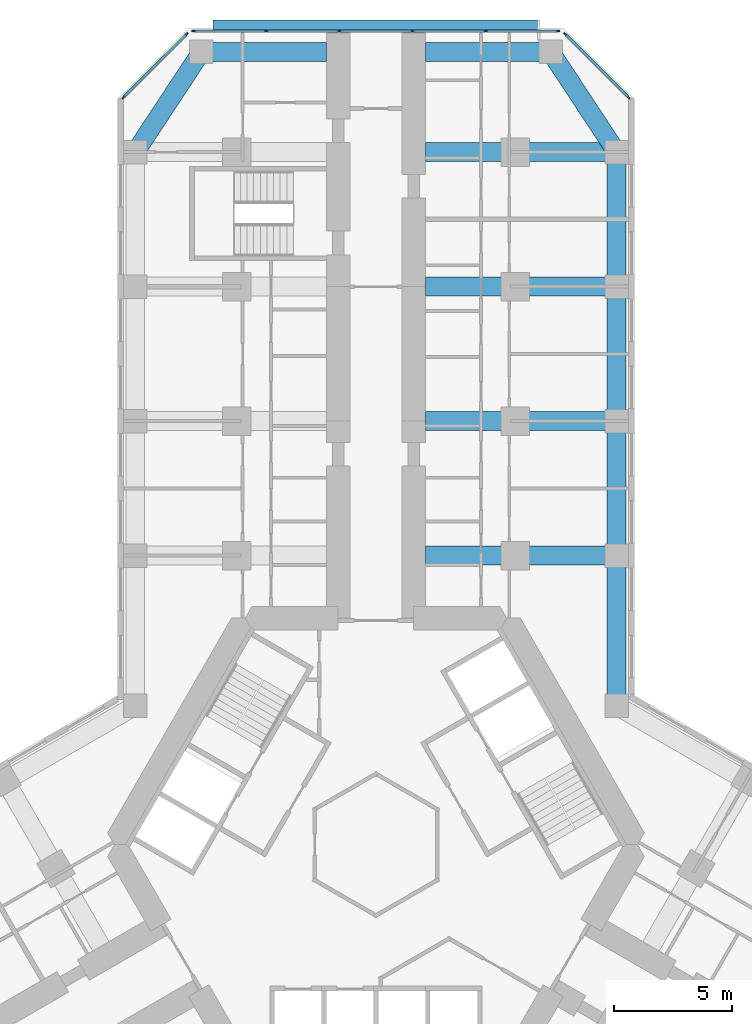
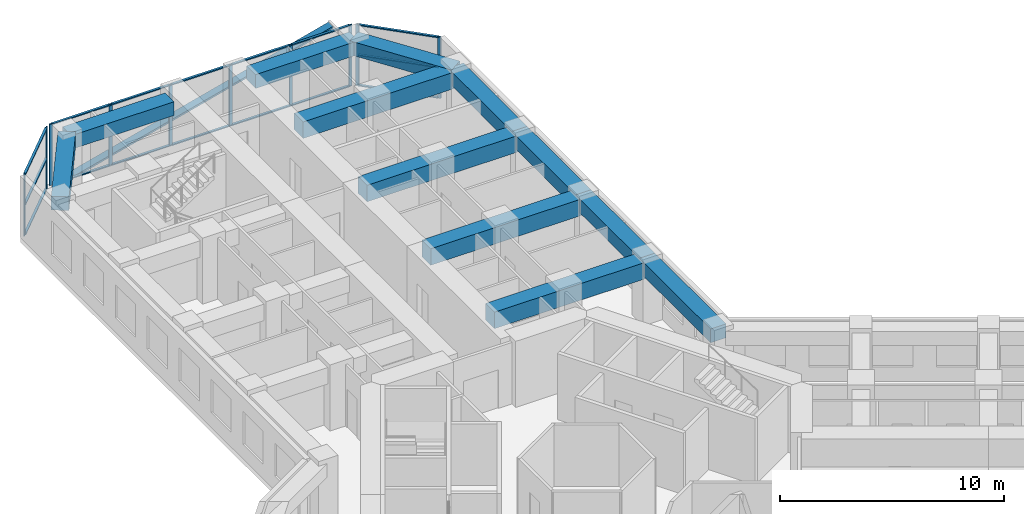
# One storey, part 7 of 21: 27 members, 12 beams, 3 elements without a shape of their own.
"""IFC4 building model written with IfcOpenShell, lengths in metres."""

from ifc_helpers import new_model, si_unit, direction, frame, origin, origin_2d, place, context, subcontext, project, spatial, rectangle, extrude, material, material_profile, profile_set, type_object, element, aggregate, save


model = new_model("IFC4")

# Units and contexts
model_context = context("Model", 3, precision=1e-05, world=origin(), true_north=direction((0.0, 1.0)))
body_context = subcontext(model_context, "Body", "Model", "MODEL_VIEW")
ifc_project = project(units=[si_unit("LENGTHUNIT", "METRE"), si_unit("AREAUNIT", "SQUARE_METRE"), si_unit("VOLUMEUNIT", "CUBIC_METRE"), si_unit("PLANEANGLEUNIT", "RADIAN"), si_unit("MASSUNIT", "GRAM", prefix="KILO")], contexts=[model_context])

# Site, building, storey
site_placement = place(None, origin())
site = spatial("IfcSite", under=ifc_project, at=site_placement, CompositionType="ELEMENT")
building_placement = place(site_placement, origin())
building = spatial("IfcBuilding", under=site, at=building_placement, Name="Kosmar Iwan School Tower", CompositionType="ELEMENT")
storey_placement = place(building_placement, frame((0.0, 0.0, 50.199951171875)))
storey = spatial("IfcBuildingStorey", under=building, at=storey_placement, Name="L11", CompositionType="ELEMENT", Elevation=50.199951171875)

# Member
ifc_material_1 = material(Name="Black anodised aluminium", Category="aluminium")
ifc_material_profile_1 = material_profile(ifc_material_1, rectangle(XDim=0.10009765625, YDim=0.39990234375, at=origin_2d()), Name="FIN 100x400")
ifc_profile_set_1 = profile_set([ifc_material_profile_1], Name="Black anodised aluminium")
member_type_1 = type_object("IfcMemberType", Name="Diagonal fin 100x400", PredefinedType="USERDEFINED", material=ifc_profile_set_1)
member_1_placement = place(storey_placement, frame((-6.898193359375, 34.75, -0.14990234375), z_axis=(0.967603633438, 0.0, 0.252474174041), x_axis=(-0.252474174041, 0.0, 0.967603633438)))
element("IfcMember", 1, at=member_1_placement, inside=storey, type_object=member_type_1, Name="Diagonal fin L11-F08", ObjectType="FIN", PredefinedType="USERDEFINED", context=body_context, shape_type="SweptSolid", body=[
    extrude(rectangle(XDim=0.10009765625, YDim=0.39990234375, at=origin_2d()), origin(), (0.0, 0.0, 1.0), 14.25830078125),
])

# Curtain wall, members
ifc_material_2 = material(Name="Dark glass in black aluminium frame", Category="aluminium")
curtain_wall_type_1 = type_object("IfcCurtainWallType", Name="Chamfer curtain wall dark glass", PredefinedType="USERDEFINED", material=ifc_material_2)
curtain_wall_1_placement = place(storey_placement, origin())
curtain_wall_1 = element("IfcCurtainWall", 2, at=curtain_wall_1_placement, inside=storey, type_object=curtain_wall_type_1, Name="Curtain wall L11-F07", ObjectType="FACETED CURTAIN WALL", PredefinedType="USERDEFINED")
ifc_material_3 = material(Name="Black anodised aluminium", Category="aluminium")
ifc_material_profile_2 = material_profile(ifc_material_3, rectangle(XDim=0.06005859375, YDim=0.159912109375, at=origin_2d()), Name="MULLION 60x160")
ifc_profile_set_2 = profile_set([ifc_material_profile_2], Name="Black anodised aluminium")
member_type_2 = type_object("IfcMemberType", Name="Mullion 60x160", PredefinedType="MULLION", material=ifc_profile_set_2)
member_2_placement = place(storey_placement, frame((10.69775390625, 31.675537109375, 0.0), z_axis=(0.0, 0.0, 1.0), x_axis=(-0.707106781187, -0.707106781187, 0.0)))
member_2 = element("IfcMember", 3, at=member_2_placement, type_object=member_type_2, Name="CW2 mullion 1", PredefinedType="MULLION", context=body_context, shape_type="SweptSolid", body=[
    extrude(rectangle(XDim=0.06005859375, YDim=0.159912109375, at=origin_2d()), origin(), (0.0, 0.0, 1.0), 3.35009765625),
])
member_3_placement = place(storey_placement, frame((8.025390625, 34.34765625, 0.0), z_axis=(0.0, 0.0, 1.0), x_axis=(-0.707106781187, -0.707106781187, 0.0)))
member_3 = element("IfcMember", 4, at=member_3_placement, type_object=member_type_2, Name="CW2 mullion 2", PredefinedType="MULLION", context=body_context, shape_type="SweptSolid", body=[
    extrude(rectangle(XDim=0.06005859375, YDim=0.159912109375, at=origin_2d()), origin(), (0.0, 0.0, 1.0), 3.35009765625),
])

ifc_material_4 = material(Name="Dark glass in black aluminium frame", Category="aluminium")
curtain_wall_type_2 = type_object("IfcCurtainWallType", Name="Tower curtain wall dark glass", PredefinedType="USERDEFINED", material=ifc_material_4)
curtain_wall_2_placement = place(storey_placement, origin())
curtain_wall_2 = element("IfcCurtainWall", 5, at=curtain_wall_2_placement, inside=storey, type_object=curtain_wall_type_2, Name="Curtain wall L11-F08", ObjectType="UNITISED CURTAIN WALL", PredefinedType="USERDEFINED")
member_4_placement = place(storey_placement, frame((7.71826171875, 34.47509765625, 0.0), z_axis=(0.0, 0.0, 1.0), x_axis=(0.0, -1.0, 0.0)))
member_4 = element("IfcMember", 6, at=member_4_placement, type_object=member_type_2, Name="CW1 mullion 1", PredefinedType="MULLION", context=body_context, shape_type="SweptSolid", body=[
    extrude(rectangle(XDim=0.06005859375, YDim=0.159912109375, at=origin_2d()), origin(), (0.0, 0.0, 1.0), 3.35009765625),
])
member_5_placement = place(storey_placement, frame((4.64892578125, 34.47509765625, 0.0), z_axis=(0.0, 0.0, 1.0), x_axis=(0.0, -1.0, 0.0)))
member_5 = element("IfcMember", 7, at=member_5_placement, type_object=member_type_2, Name="CW1 mullion 2", PredefinedType="MULLION", context=body_context, shape_type="SweptSolid", body=[
    extrude(rectangle(XDim=0.06005859375, YDim=0.159912109375, at=origin_2d()), origin(), (0.0, 0.0, 1.0), 3.35009765625),
])
member_6_placement = place(storey_placement, frame((1.549560546875, 34.47509765625, 0.0), z_axis=(0.0, 0.0, 1.0), x_axis=(0.0, -1.0, 0.0)))
member_6 = element("IfcMember", 8, at=member_6_placement, type_object=member_type_2, Name="CW1 mullion 3", PredefinedType="MULLION", context=body_context, shape_type="SweptSolid", body=[
    extrude(rectangle(XDim=0.06005859375, YDim=0.159912109375, at=origin_2d()), origin(), (0.0, 0.0, 1.0), 3.35009765625),
])
member_7_placement = place(storey_placement, frame((-1.549560546875, 34.47509765625, 0.0), z_axis=(0.0, 0.0, 1.0), x_axis=(0.0, -1.0, 0.0)))
member_7 = element("IfcMember", 9, at=member_7_placement, type_object=member_type_2, Name="CW1 mullion 4", PredefinedType="MULLION", context=body_context, shape_type="SweptSolid", body=[
    extrude(rectangle(XDim=0.06005859375, YDim=0.159912109375, at=origin_2d()), origin(), (0.0, 0.0, 1.0), 3.35009765625),
])
member_8_placement = place(storey_placement, frame((-4.64892578125, 34.47509765625, 0.0), z_axis=(0.0, 0.0, 1.0), x_axis=(0.0, -1.0, 0.0)))
member_8 = element("IfcMember", 10, at=member_8_placement, type_object=member_type_2, Name="CW1 mullion 5", PredefinedType="MULLION", context=body_context, shape_type="SweptSolid", body=[
    extrude(rectangle(XDim=0.06005859375, YDim=0.159912109375, at=origin_2d()), origin(), (0.0, 0.0, 1.0), 3.35009765625),
])
member_9_placement = place(storey_placement, frame((-7.71826171875, 34.47509765625, 0.0), z_axis=(0.0, 0.0, 1.0), x_axis=(0.0, -1.0, 0.0)))
member_9 = element("IfcMember", 11, at=member_9_placement, type_object=member_type_2, Name="CW1 mullion 6", PredefinedType="MULLION", context=body_context, shape_type="SweptSolid", body=[
    extrude(rectangle(XDim=0.06005859375, YDim=0.159912109375, at=origin_2d()), origin(), (0.0, 0.0, 1.0), 3.35009765625),
])

curtain_wall_3_placement = place(storey_placement, origin())
curtain_wall_3 = element("IfcCurtainWall", 12, at=curtain_wall_3_placement, inside=storey, type_object=curtain_wall_type_1, Name="Curtain wall L11-F09", ObjectType="FACETED CURTAIN WALL", PredefinedType="USERDEFINED")
member_10_placement = place(storey_placement, frame((-8.025390625, 34.34765625, 0.0), z_axis=(0.0, 0.0, 1.0), x_axis=(0.707106781187, -0.707106781187, 0.0)))
member_10 = element("IfcMember", 13, at=member_10_placement, type_object=member_type_2, Name="CW2 mullion 1", PredefinedType="MULLION", context=body_context, shape_type="SweptSolid", body=[
    extrude(rectangle(XDim=0.06005859375, YDim=0.159912109375, at=origin_2d()), origin(), (0.0, 0.0, 1.0), 3.35009765625),
])
member_11_placement = place(storey_placement, frame((-10.69775390625, 31.675537109375, 0.0), z_axis=(0.0, 0.0, 1.0), x_axis=(0.707106781187, -0.707106781187, 0.0)))
member_11 = element("IfcMember", 14, at=member_11_placement, type_object=member_type_2, Name="CW2 mullion 2", PredefinedType="MULLION", context=body_context, shape_type="SweptSolid", body=[
    extrude(rectangle(XDim=0.06005859375, YDim=0.159912109375, at=origin_2d()), origin(), (0.0, 0.0, 1.0), 3.35009765625),
])

# Beams
ifc_material_5 = material(Name="Concrete C50/60", Category="concrete")
ifc_material_profile_3 = material_profile(ifc_material_5, rectangle(XDim=0.800048828125, YDim=0.75, at=origin_2d()), Name="RC 800x750")
ifc_profile_set_3 = profile_set([ifc_material_profile_3], Name="Concrete C50/60")
beam_type_1 = type_object("IfcBeamType", Name="RC edge beam 800x750", PredefinedType="BEAM", material=ifc_profile_set_3)
beam_1_placement = place(storey_placement, frame((10.199951171875, 5.888916015625, 2.97509765625), z_axis=(0.0, 1.0, 0.0), x_axis=(-1.0, 0.0, 0.0)))
element("IfcBeam", 15, at=beam_1_placement, inside=storey, type_object=beam_type_1, Name="Edge beam AR1", PredefinedType="BEAM", context=body_context, shape_type="SweptSolid", body=[
    extrude(rectangle(XDim=0.800048828125, YDim=0.75, at=origin_2d()), origin(), (0.0, 0.0, 1.0), 6.361083984375),
])
for number, where, z_axis, x_axis, name in (
    (16, (10.199951171875, 12.25, 2.97509765625), (0.0, 1.0, 0.0), (-1.0, 0.0, 0.0), "Edge beam AR2"),
    (17, (10.199951171875, 17.949951171875, 2.97509765625), (0.0, 1.0, 0.0), (-1.0, 0.0, 0.0), "Edge beam AR3"),
):
    element("IfcBeam", number, at=place(storey_placement, frame(where, z_axis=z_axis, x_axis=x_axis)), inside=storey, type_object=beam_type_1, Name=name, PredefinedType="BEAM", context=body_context, shape_type="SweptSolid", body=[
        extrude(rectangle(XDim=0.800048828125, YDim=0.75, at=origin_2d()), origin(), (0.0, 0.0, 1.0), 5.699951171875),
    ])
beam_2_placement = place(storey_placement, frame((10.199951171875, 23.64990234375, 2.97509765625), z_axis=(0.0, 1.0, 0.0), x_axis=(-1.0, 0.0, 0.0)))
element("IfcBeam", 18, at=beam_2_placement, inside=storey, type_object=beam_type_1, Name="Edge beam AR4", PredefinedType="BEAM", context=body_context, shape_type="SweptSolid", body=[
    extrude(rectangle(XDim=0.800048828125, YDim=0.75, at=origin_2d()), origin(), (0.0, 0.0, 1.0), 5.7001953125),
])
ifc_material_6 = material(Name="Concrete C50/60", Category="concrete")
ifc_material_profile_4 = material_profile(ifc_material_6, rectangle(XDim=0.800048828125, YDim=0.75, at=origin_2d()), Name="RC 800x750")
ifc_profile_set_4 = profile_set([ifc_material_profile_4], Name="Concrete C50/60")
beam_type_2 = type_object("IfcBeamType", Name="RC tip beam 800x750", PredefinedType="BEAM", material=ifc_profile_set_4)
beam_3_placement = place(storey_placement, frame((-10.199951171875, 29.35009765625, 2.97509765625), z_axis=(0.550164383043, 0.835056376319, 0.0), x_axis=(-0.835056376319, 0.550164383043, 0.0)))
element("IfcBeam", 19, at=beam_3_placement, inside=storey, type_object=beam_type_2, Name="Tip beam AL", PredefinedType="BEAM", context=body_context, shape_type="SweptSolid", body=[
    extrude(rectangle(XDim=0.800048828125, YDim=0.75, at=origin_2d()), origin(), (0.0, 0.0, 1.0), 5.08935546875),
])
beam_4_placement = place(storey_placement, frame((-7.39990234375, 33.60009765625, 2.97509765625), z_axis=(1.0, 0.0, 0.0), x_axis=(0.0, 1.0, 0.0)))
element("IfcBeam", 20, at=beam_4_placement, inside=storey, type_object=beam_type_2, Name="Tip beam AL to corridor wall", PredefinedType="BEAM", context=body_context, shape_type="SweptSolid", body=[
    extrude(rectangle(XDim=0.800048828125, YDim=0.75, at=origin_2d()), origin(), (0.0, 0.0, 1.0), 5.2998046875),
])
beam_5_placement = place(storey_placement, frame((10.199951171875, 29.35009765625, 2.97509765625), z_axis=(-0.550164383043, 0.835056376319, 0.0), x_axis=(-0.835056376319, -0.550164383043, 0.0)))
element("IfcBeam", 21, at=beam_5_placement, inside=storey, type_object=beam_type_2, Name="Tip beam AR", PredefinedType="BEAM", context=body_context, shape_type="SweptSolid", body=[
    extrude(rectangle(XDim=0.800048828125, YDim=0.75, at=origin_2d()), origin(), (0.0, 0.0, 1.0), 5.08935546875),
])
beam_6_placement = place(storey_placement, frame((7.39990234375, 33.60009765625, 2.97509765625), z_axis=(-1.0, 0.0, 0.0), x_axis=(0.0, -1.0, 0.0)))
element("IfcBeam", 22, at=beam_6_placement, inside=storey, type_object=beam_type_2, Name="Tip beam AR to corridor wall", PredefinedType="BEAM", context=body_context, shape_type="SweptSolid", body=[
    extrude(rectangle(XDim=0.800048828125, YDim=0.75, at=origin_2d()), origin(), (0.0, 0.0, 1.0), 5.2998046875),
])
ifc_material_7 = material(Name="Concrete C50/60", Category="concrete")
ifc_material_profile_5 = material_profile(ifc_material_7, rectangle(XDim=0.800048828125, YDim=0.89990234375, at=origin_2d()), Name="RC 800x900")
ifc_profile_set_5 = profile_set([ifc_material_profile_5], Name="Concrete C50/60")
beam_type_3 = type_object("IfcBeamType", Name="RC transverse beam 800x900", PredefinedType="BEAM", material=ifc_profile_set_5)
for number, where, z_axis, x_axis, name in (
    (23, (10.199951171875, 12.25, 2.900146484375), (-1.0, 0.0, 0.0), (0.0, -1.0, 0.0), "Transverse beam AR1"),
    (24, (10.199951171875, 17.949951171875, 2.900146484375), (-1.0, 0.0, 0.0), (0.0, -1.0, 0.0), "Transverse beam AR2"),
    (25, (10.199951171875, 23.64990234375, 2.900146484375), (-1.0, 0.0, 0.0), (0.0, -1.0, 0.0), "Transverse beam AR3"),
    (26, (10.199951171875, 29.35009765625, 2.900146484375), (-1.0, 0.0, 0.0), (0.0, -1.0, 0.0), "Transverse beam AR4"),
):
    element("IfcBeam", number, at=place(storey_placement, frame(where, z_axis=z_axis, x_axis=x_axis)), inside=storey, type_object=beam_type_3, Name=name, PredefinedType="BEAM", context=body_context, shape_type="SweptSolid", body=[
        extrude(rectangle(XDim=0.800048828125, YDim=0.89990234375, at=origin_2d()), origin(), (0.0, 0.0, 1.0), 8.099853515625),
    ])

# Member
ifc_material_8 = material(Name="Black anodised aluminium", Category="aluminium")
ifc_material_profile_6 = material_profile(ifc_material_8, rectangle(XDim=0.1201171875, YDim=0.06005859375, at=origin_2d()), Name="TRANSOM 60x120")
ifc_profile_set_6 = profile_set([ifc_material_profile_6], Name="Black anodised aluminium")
member_type_3 = type_object("IfcMemberType", Name="Transom 60x120", PredefinedType="USERDEFINED", material=ifc_profile_set_6)
member_12_placement = place(storey_placement, frame((10.676513671875, 31.69677734375, 0.030029296875), z_axis=(-0.707139603466, 0.707073957383, 0.0), x_axis=(-0.707073957383, -0.707139603466, 0.0)))
member_12 = element("IfcMember", 27, at=member_12_placement, type_object=member_type_3, Name="CW2 transom 1.1", ObjectType="TRANSOM", PredefinedType="USERDEFINED", context=body_context, shape_type="SweptSolid", body=[
    extrude(rectangle(XDim=0.1201171875, YDim=0.06005859375, at=origin_2d()), origin(), (0.0, 0.0, 1.0), 3.718994140625),
])

member_13_placement = place(storey_placement, frame((10.676513671875, 31.69677734375, 1.675048828125), z_axis=(-0.707139603466, 0.707073957383, 0.0), x_axis=(-0.707073957383, -0.707139603466, 0.0)))
member_13 = element("IfcMember", 28, at=member_13_placement, type_object=member_type_3, Name="CW2 transom 1.2", ObjectType="TRANSOM", PredefinedType="USERDEFINED", context=body_context, shape_type="SweptSolid", body=[
    extrude(rectangle(XDim=0.1201171875, YDim=0.06005859375, at=origin_2d()), origin(), (0.0, 0.0, 1.0), 3.718994140625),
])

member_14_placement = place(storey_placement, frame((10.676513671875, 31.69677734375, 3.320068359375), z_axis=(-0.707139603466, 0.707073957383, 0.0), x_axis=(-0.707073957383, -0.707139603466, 0.0)))
member_14 = element("IfcMember", 29, at=member_14_placement, type_object=member_type_3, Name="CW2 transom 1.3", ObjectType="TRANSOM", PredefinedType="USERDEFINED", context=body_context, shape_type="SweptSolid", body=[
    extrude(rectangle(XDim=0.1201171875, YDim=0.06005859375, at=origin_2d()), origin(), (0.0, 0.0, 1.0), 3.718994140625),
])

aggregate(curtain_wall_1, [member_2, member_3, member_12, member_13, member_14])

member_15_placement = place(storey_placement, frame((7.688232421875, 34.47509765625, 0.030029296875), z_axis=(-1.0, 0.0, 0.0), x_axis=(0.0, -1.0, 0.0)))
member_15 = element("IfcMember", 30, at=member_15_placement, type_object=member_type_3, Name="CW1 transom 1.1", ObjectType="TRANSOM", PredefinedType="USERDEFINED", context=body_context, shape_type="SweptSolid", body=[
    extrude(rectangle(XDim=0.1201171875, YDim=0.06005859375, at=origin_2d()), origin(), (0.0, 0.0, 1.0), 3.00927734375),
])

member_16_placement = place(storey_placement, frame((7.688232421875, 34.47509765625, 3.320068359375), z_axis=(-1.0, 0.0, 0.0), x_axis=(0.0, -1.0, 0.0)))
member_16 = element("IfcMember", 31, at=member_16_placement, type_object=member_type_3, Name="CW1 transom 1.2", ObjectType="TRANSOM", PredefinedType="USERDEFINED", context=body_context, shape_type="SweptSolid", body=[
    extrude(rectangle(XDim=0.1201171875, YDim=0.06005859375, at=origin_2d()), origin(), (0.0, 0.0, 1.0), 3.00927734375),
])

member_17_placement = place(storey_placement, frame((4.618896484375, 34.47509765625, 0.030029296875), z_axis=(-1.0, 0.0, 0.0), x_axis=(0.0, -1.0, 0.0)))
member_17 = element("IfcMember", 32, at=member_17_placement, type_object=member_type_3, Name="CW1 transom 2.1", ObjectType="TRANSOM", PredefinedType="USERDEFINED", context=body_context, shape_type="SweptSolid", body=[
    extrude(rectangle(XDim=0.1201171875, YDim=0.06005859375, at=origin_2d()), origin(), (0.0, 0.0, 1.0), 3.039306640625),
])

member_18_placement = place(storey_placement, frame((4.618896484375, 34.47509765625, 3.320068359375), z_axis=(-1.0, 0.0, 0.0), x_axis=(0.0, -1.0, 0.0)))
member_18 = element("IfcMember", 33, at=member_18_placement, type_object=member_type_3, Name="CW1 transom 2.2", ObjectType="TRANSOM", PredefinedType="USERDEFINED", context=body_context, shape_type="SweptSolid", body=[
    extrude(rectangle(XDim=0.1201171875, YDim=0.06005859375, at=origin_2d()), origin(), (0.0, 0.0, 1.0), 3.039306640625),
])

member_19_placement = place(storey_placement, frame((1.51953125, 34.47509765625, 0.030029296875), z_axis=(-1.0, 0.0, 0.0), x_axis=(0.0, -1.0, 0.0)))
member_19 = element("IfcMember", 34, at=member_19_placement, type_object=member_type_3, Name="CW1 transom 3.1", ObjectType="TRANSOM", PredefinedType="USERDEFINED", context=body_context, shape_type="SweptSolid", body=[
    extrude(rectangle(XDim=0.1201171875, YDim=0.06005859375, at=origin_2d()), origin(), (0.0, 0.0, 1.0), 3.0390625),
])

member_20_placement = place(storey_placement, frame((1.51953125, 34.47509765625, 3.320068359375), z_axis=(-1.0, 0.0, 0.0), x_axis=(0.0, -1.0, 0.0)))
member_20 = element("IfcMember", 35, at=member_20_placement, type_object=member_type_3, Name="CW1 transom 3.2", ObjectType="TRANSOM", PredefinedType="USERDEFINED", context=body_context, shape_type="SweptSolid", body=[
    extrude(rectangle(XDim=0.1201171875, YDim=0.06005859375, at=origin_2d()), origin(), (0.0, 0.0, 1.0), 3.0390625),
])

member_21_placement = place(storey_placement, frame((-1.57958984375, 34.47509765625, 0.030029296875), z_axis=(-1.0, 0.0, 0.0), x_axis=(0.0, -1.0, 0.0)))
member_21 = element("IfcMember", 36, at=member_21_placement, type_object=member_type_3, Name="CW1 transom 4.1", ObjectType="TRANSOM", PredefinedType="USERDEFINED", context=body_context, shape_type="SweptSolid", body=[
    extrude(rectangle(XDim=0.1201171875, YDim=0.06005859375, at=origin_2d()), origin(), (0.0, 0.0, 1.0), 3.039306640625),
])

member_22_placement = place(storey_placement, frame((-1.57958984375, 34.47509765625, 3.320068359375), z_axis=(-1.0, 0.0, 0.0), x_axis=(0.0, -1.0, 0.0)))
member_22 = element("IfcMember", 37, at=member_22_placement, type_object=member_type_3, Name="CW1 transom 4.2", ObjectType="TRANSOM", PredefinedType="USERDEFINED", context=body_context, shape_type="SweptSolid", body=[
    extrude(rectangle(XDim=0.1201171875, YDim=0.06005859375, at=origin_2d()), origin(), (0.0, 0.0, 1.0), 3.039306640625),
])

member_23_placement = place(storey_placement, frame((-4.678955078125, 34.47509765625, 0.030029296875), z_axis=(-1.0, 0.0, 0.0), x_axis=(0.0, -1.0, 0.0)))
member_23 = element("IfcMember", 38, at=member_23_placement, type_object=member_type_3, Name="CW1 transom 5.1", ObjectType="TRANSOM", PredefinedType="USERDEFINED", context=body_context, shape_type="SweptSolid", body=[
    extrude(rectangle(XDim=0.1201171875, YDim=0.06005859375, at=origin_2d()), origin(), (0.0, 0.0, 1.0), 3.00927734375),
])

member_24_placement = place(storey_placement, frame((-4.678955078125, 34.47509765625, 3.320068359375), z_axis=(-1.0, 0.0, 0.0), x_axis=(0.0, -1.0, 0.0)))
member_24 = element("IfcMember", 39, at=member_24_placement, type_object=member_type_3, Name="CW1 transom 5.2", ObjectType="TRANSOM", PredefinedType="USERDEFINED", context=body_context, shape_type="SweptSolid", body=[
    extrude(rectangle(XDim=0.1201171875, YDim=0.06005859375, at=origin_2d()), origin(), (0.0, 0.0, 1.0), 3.00927734375),
])

aggregate(curtain_wall_2, [member_4, member_5, member_6, member_7, member_8, member_9, member_15, member_16, member_17, member_18, member_19, member_20, member_21, member_22, member_23, member_24])

member_25_placement = place(storey_placement, frame((-8.046630859375, 34.326416015625, 0.030029296875), z_axis=(-0.707139603466, -0.707073957383, 0.0), x_axis=(0.707073957383, -0.707139603466, 0.0)))
member_25 = element("IfcMember", 40, at=member_25_placement, type_object=member_type_3, Name="CW2 transom 1.1", ObjectType="TRANSOM", PredefinedType="USERDEFINED", context=body_context, shape_type="SweptSolid", body=[
    extrude(rectangle(XDim=0.1201171875, YDim=0.06005859375, at=origin_2d()), origin(), (0.0, 0.0, 1.0), 3.718994140625),
])

member_26_placement = place(storey_placement, frame((-8.046630859375, 34.326416015625, 1.675048828125), z_axis=(-0.707139603466, -0.707073957383, 0.0), x_axis=(0.707073957383, -0.707139603466, 0.0)))
member_26 = element("IfcMember", 41, at=member_26_placement, type_object=member_type_3, Name="CW2 transom 1.2", ObjectType="TRANSOM", PredefinedType="USERDEFINED", context=body_context, shape_type="SweptSolid", body=[
    extrude(rectangle(XDim=0.1201171875, YDim=0.06005859375, at=origin_2d()), origin(), (0.0, 0.0, 1.0), 3.718994140625),
])

member_27_placement = place(storey_placement, frame((-8.046630859375, 34.326416015625, 3.320068359375), z_axis=(-0.707139603466, -0.707073957383, 0.0), x_axis=(0.707073957383, -0.707139603466, 0.0)))
member_27 = element("IfcMember", 42, at=member_27_placement, type_object=member_type_3, Name="CW2 transom 1.3", ObjectType="TRANSOM", PredefinedType="USERDEFINED", context=body_context, shape_type="SweptSolid", body=[
    extrude(rectangle(XDim=0.1201171875, YDim=0.06005859375, at=origin_2d()), origin(), (0.0, 0.0, 1.0), 3.718994140625),
])

aggregate(curtain_wall_3, [member_10, member_11, member_25, member_26, member_27])

save(model, "model.ifc")
